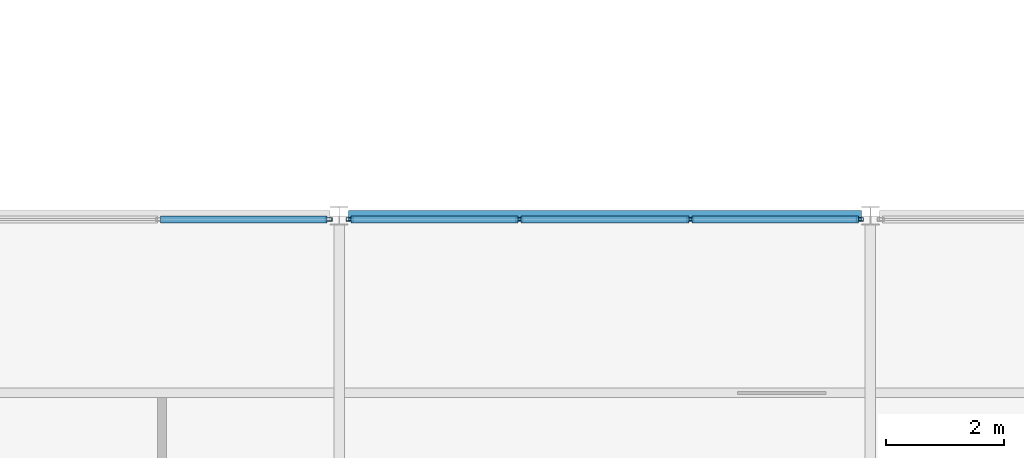
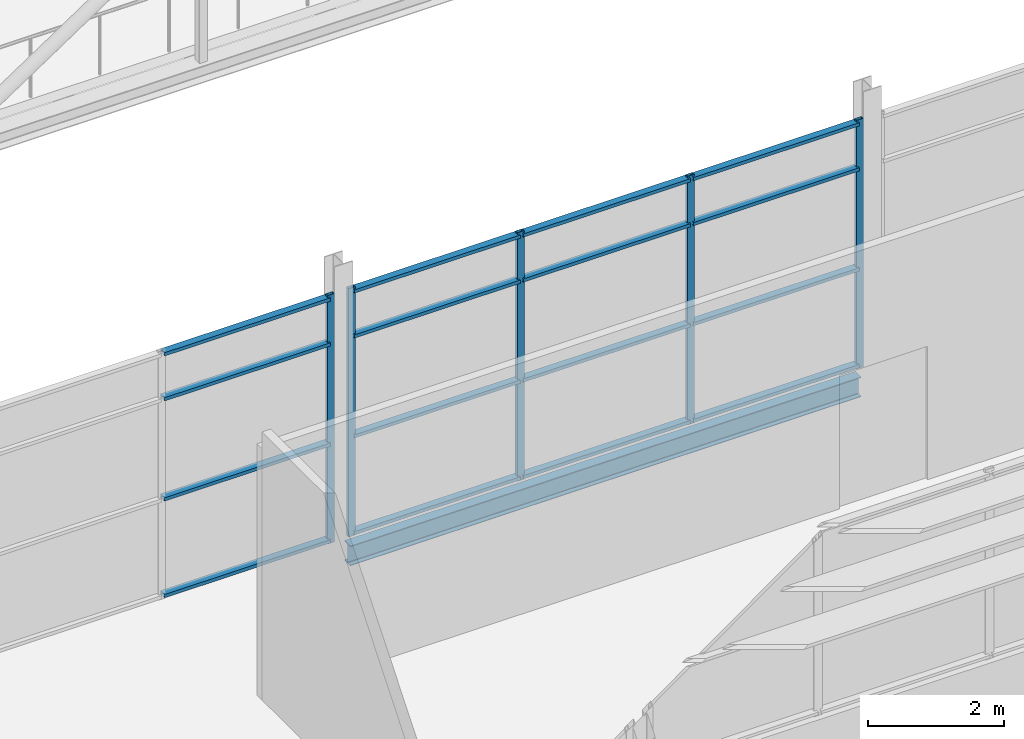
# One storey, part 17 of 94: 21 members, 1 beam, 2 elements without a shape of their own.
"""IFC4 building model written with IfcOpenShell, lengths in metres."""

from ifc_helpers import new_model, si_unit, direction, frame, origin, origin_2d, place, context, subcontext, project, spatial, hollow_rectangle, i_section, extrude, material, layer, layer_set, material_profile, profile_set, type_object, element, aggregate, save


model = new_model("IFC4")

# Units and contexts
model_context = context("Model", 3, precision=1e-05, world=origin(), true_north=direction((0.0, 1.0)))
body_context = subcontext(model_context, "Body", "Model", "MODEL_VIEW")
ifc_project = project(units=[si_unit("LENGTHUNIT", "METRE"), si_unit("AREAUNIT", "SQUARE_METRE"), si_unit("VOLUMEUNIT", "CUBIC_METRE"), si_unit("PLANEANGLEUNIT", "RADIAN"), si_unit("MASSUNIT", "GRAM", prefix="KILO")], contexts=[model_context])

# Site, building, storey
site_placement = place(None, origin())
site = spatial("IfcSite", under=ifc_project, at=site_placement, CompositionType="ELEMENT")
building_placement = place(site_placement, origin())
building = spatial("IfcBuilding", under=site, at=building_placement, Name="Shorebreak Coast Museum", CompositionType="ELEMENT")
storey_placement = place(building_placement, frame((0.0, 0.0, 31.0)))
storey = spatial("IfcBuildingStorey", under=building, at=storey_placement, Name="L05", CompositionType="ELEMENT", Elevation=31.0)

# Beam
ifc_material_1 = material(Name="Steel Grade 300", Category="steel")
ifc_material_profile_1 = material_profile(ifc_material_1, i_section(OverallWidth=0.1708984375, OverallDepth=0.355712890625, WebThickness=0.00732421875, FlangeThickness=0.011474609375, FilletRadius=0.011474609375, at=origin_2d()), Name="360UB50.7")
ifc_profile_set_1 = profile_set([ifc_material_profile_1], Name="Steel Grade 300")
beam_type = type_object("IfcBeamType", Name="Floor girder east-west 360UB50.7", PredefinedType="BEAM", material=ifc_profile_set_1)
beam_placement = place(storey_placement, frame((72.153564453125, 63.0, -0.352783203125), z_axis=(1.0, 0.0, 0.0), x_axis=(0.0, 1.0, 0.0)))
element("IfcBeam", 1, at=beam_placement, inside=storey, type_object=beam_type, Name="Floor girder east-west L05 9H", PredefinedType="BEAM", context=body_context, shape_type="SweptSolid", body=[
    extrude(i_section(OverallWidth=0.1708984375, OverallDepth=0.355712890625, WebThickness=0.00732421875, FlangeThickness=0.011474609375, FilletRadius=0.011474609375, at=origin_2d()), origin(), (0.0, 0.0, 1.0), 8.69287109375),
])

# Curtain wall, member
ifc_material_2 = material(Name="Aluminium", Category="aluminium")
ifc_layer = layer(ifc_material_2, 0.1201171875)
ifc_layer_set = layer_set([ifc_layer], Name="Aluminium")
curtain_wall_type = type_object("IfcCurtainWallType", Name="Atrium fire screen", PredefinedType="NOTDEFINED", material=ifc_layer_set)
curtain_wall_1_placement = place(storey_placement, origin())
curtain_wall_1 = element("IfcCurtainWall", 2, at=curtain_wall_1_placement, inside=storey, type_object=curtain_wall_type, Name="Atrium screen L05 S 63", PredefinedType="NOTDEFINED")
ifc_material_3 = material(Name="Aluminium", Category="aluminium")
ifc_material_profile_2 = material_profile(ifc_material_3, hollow_rectangle(XDim=0.06005859375, YDim=0.1201171875, WallThickness=0.00341796875, at=origin_2d()), Name="AL 120x60 RHS")
ifc_profile_set_2 = profile_set([ifc_material_profile_2], Name="Aluminium")
member_type_1 = type_object("IfcMemberType", Name="Screen mullion 50 x 120", PredefinedType="MULLION", material=ifc_profile_set_2)
member_1_placement = place(storey_placement, frame((71.821533203125, 62.93994140625, 0.0), z_axis=(0.0, 0.0, 1.0), x_axis=(0.0, 1.0, 0.0)))
member_1 = element("IfcMember", 3, at=member_1_placement, type_object=member_type_1, Name="CW4 mullion 4", PredefinedType="MULLION", context=body_context, shape_type="SweptSolid", body=[
    extrude(hollow_rectangle(XDim=0.06005859375, YDim=0.1201171875, WallThickness=0.00341796875, at=origin_2d()), origin(), (0.0, 0.0, 1.0), 4.469482421875),
])

# Curtain wall, members
curtain_wall_2_placement = place(storey_placement, origin())
curtain_wall_2 = element("IfcCurtainWall", 4, at=curtain_wall_2_placement, inside=storey, type_object=curtain_wall_type, Name="Atrium screen L05 S 64", PredefinedType="NOTDEFINED")
member_2_placement = place(storey_placement, frame((72.178466796875, 62.93994140625, 0.0), z_axis=(0.0, 0.0, 1.0), x_axis=(0.0, 1.0, 0.0)))
member_2 = element("IfcMember", 5, at=member_2_placement, type_object=member_type_1, Name="CW5 mullion 1", PredefinedType="MULLION", context=body_context, shape_type="SweptSolid", body=[
    extrude(hollow_rectangle(XDim=0.06005859375, YDim=0.1201171875, WallThickness=0.00341796875, at=origin_2d()), origin(), (0.0, 0.0, 1.0), 4.469482421875),
])
member_3_placement = place(storey_placement, frame((75.05126953125, 62.93994140625, 0.0), z_axis=(0.0, 0.0, 1.0), x_axis=(0.0, 1.0, 0.0)))
member_3 = element("IfcMember", 6, at=member_3_placement, type_object=member_type_1, Name="CW5 mullion 2", PredefinedType="MULLION", context=body_context, shape_type="SweptSolid", body=[
    extrude(hollow_rectangle(XDim=0.06005859375, YDim=0.1201171875, WallThickness=0.00341796875, at=origin_2d()), origin(), (0.0, 0.0, 1.0), 4.469482421875),
])
member_4_placement = place(storey_placement, frame((77.94873046875, 62.93994140625, 0.0), z_axis=(0.0, 0.0, 1.0), x_axis=(0.0, 1.0, 0.0)))
member_4 = element("IfcMember", 7, at=member_4_placement, type_object=member_type_1, Name="CW5 mullion 3", PredefinedType="MULLION", context=body_context, shape_type="SweptSolid", body=[
    extrude(hollow_rectangle(XDim=0.06005859375, YDim=0.1201171875, WallThickness=0.00341796875, at=origin_2d()), origin(), (0.0, 0.0, 1.0), 4.469482421875),
])
member_5_placement = place(storey_placement, frame((80.821533203125, 62.93994140625, 0.0), z_axis=(0.0, 0.0, 1.0), x_axis=(0.0, 1.0, 0.0)))
member_5 = element("IfcMember", 8, at=member_5_placement, type_object=member_type_1, Name="CW5 mullion 4", PredefinedType="MULLION", context=body_context, shape_type="SweptSolid", body=[
    extrude(hollow_rectangle(XDim=0.06005859375, YDim=0.1201171875, WallThickness=0.00341796875, at=origin_2d()), origin(), (0.0, 0.0, 1.0), 4.469482421875),
])

# Member
ifc_material_4 = material(Name="Aluminium", Category="aluminium")
ifc_material_profile_3 = material_profile(ifc_material_4, hollow_rectangle(XDim=0.1201171875, YDim=0.06005859375, WallThickness=0.00341796875, at=origin_2d()), Name="AL 60x120 RHS")
ifc_profile_set_3 = profile_set([ifc_material_profile_3], Name="Aluminium")
member_type_2 = type_object("IfcMemberType", Name="Screen transom 120 x 50", PredefinedType="USERDEFINED", material=ifc_profile_set_3)
member_6_placement = place(storey_placement, frame((68.973876953125, 62.93994140625, 0.06005859375), z_axis=(1.0, 0.0, 0.0), x_axis=(0.0, 1.0, 0.0)))
member_6 = element("IfcMember", 9, at=member_6_placement, type_object=member_type_2, Name="CW4 transom 3.1", ObjectType="TRANSOM", PredefinedType="USERDEFINED", context=body_context, shape_type="SweptSolid", body=[
    extrude(hollow_rectangle(XDim=0.1201171875, YDim=0.06005859375, WallThickness=0.00341796875, at=origin_2d()), origin(), (0.0, 0.0, 1.0), 2.822509765625),
])

member_7_placement = place(storey_placement, frame((68.973876953125, 62.93994140625, 1.800048828125), z_axis=(1.0, 0.0, 0.0), x_axis=(0.0, 1.0, 0.0)))
member_7 = element("IfcMember", 10, at=member_7_placement, type_object=member_type_2, Name="CW4 transom 3.2", ObjectType="TRANSOM", PredefinedType="USERDEFINED", context=body_context, shape_type="SweptSolid", body=[
    extrude(hollow_rectangle(XDim=0.1201171875, YDim=0.06005859375, WallThickness=0.00341796875, at=origin_2d()), origin(), (0.0, 0.0, 1.0), 2.822509765625),
])

member_8_placement = place(storey_placement, frame((68.973876953125, 62.93994140625, 3.60009765625), z_axis=(1.0, 0.0, 0.0), x_axis=(0.0, 1.0, 0.0)))
member_8 = element("IfcMember", 11, at=member_8_placement, type_object=member_type_2, Name="CW4 transom 3.3", ObjectType="TRANSOM", PredefinedType="USERDEFINED", context=body_context, shape_type="SweptSolid", body=[
    extrude(hollow_rectangle(XDim=0.1201171875, YDim=0.06005859375, WallThickness=0.00341796875, at=origin_2d()), origin(), (0.0, 0.0, 1.0), 2.822509765625),
])

member_9_placement = place(storey_placement, frame((68.973876953125, 62.93994140625, 4.409423828125), z_axis=(1.0, 0.0, 0.0), x_axis=(0.0, 1.0, 0.0)))
member_9 = element("IfcMember", 12, at=member_9_placement, type_object=member_type_2, Name="CW4 transom 3.4", ObjectType="TRANSOM", PredefinedType="USERDEFINED", context=body_context, shape_type="SweptSolid", body=[
    extrude(hollow_rectangle(XDim=0.1201171875, YDim=0.06005859375, WallThickness=0.00341796875, at=origin_2d()), origin(), (0.0, 0.0, 1.0), 2.822509765625),
])

aggregate(curtain_wall_1, [member_1, member_6, member_7, member_8, member_9])

member_10_placement = place(storey_placement, frame((72.20361328125, 62.93994140625, 0.06005859375), z_axis=(1.0, 0.0, 0.0), x_axis=(0.0, 1.0, 0.0)))
member_10 = element("IfcMember", 13, at=member_10_placement, type_object=member_type_2, Name="CW5 transom 1.1", ObjectType="TRANSOM", PredefinedType="USERDEFINED", context=body_context, shape_type="SweptSolid", body=[
    extrude(hollow_rectangle(XDim=0.1201171875, YDim=0.06005859375, WallThickness=0.00341796875, at=origin_2d()), origin(), (0.0, 0.0, 1.0), 2.822509765625),
])

member_11_placement = place(storey_placement, frame((72.20361328125, 62.93994140625, 1.800048828125), z_axis=(1.0, 0.0, 0.0), x_axis=(0.0, 1.0, 0.0)))
member_11 = element("IfcMember", 14, at=member_11_placement, type_object=member_type_2, Name="CW5 transom 1.2", ObjectType="TRANSOM", PredefinedType="USERDEFINED", context=body_context, shape_type="SweptSolid", body=[
    extrude(hollow_rectangle(XDim=0.1201171875, YDim=0.06005859375, WallThickness=0.00341796875, at=origin_2d()), origin(), (0.0, 0.0, 1.0), 2.822509765625),
])

member_12_placement = place(storey_placement, frame((72.20361328125, 62.93994140625, 3.60009765625), z_axis=(1.0, 0.0, 0.0), x_axis=(0.0, 1.0, 0.0)))
member_12 = element("IfcMember", 15, at=member_12_placement, type_object=member_type_2, Name="CW5 transom 1.3", ObjectType="TRANSOM", PredefinedType="USERDEFINED", context=body_context, shape_type="SweptSolid", body=[
    extrude(hollow_rectangle(XDim=0.1201171875, YDim=0.06005859375, WallThickness=0.00341796875, at=origin_2d()), origin(), (0.0, 0.0, 1.0), 2.822509765625),
])

member_13_placement = place(storey_placement, frame((72.20361328125, 62.93994140625, 4.409423828125), z_axis=(1.0, 0.0, 0.0), x_axis=(0.0, 1.0, 0.0)))
member_13 = element("IfcMember", 16, at=member_13_placement, type_object=member_type_2, Name="CW5 transom 1.4", ObjectType="TRANSOM", PredefinedType="USERDEFINED", context=body_context, shape_type="SweptSolid", body=[
    extrude(hollow_rectangle(XDim=0.1201171875, YDim=0.06005859375, WallThickness=0.00341796875, at=origin_2d()), origin(), (0.0, 0.0, 1.0), 2.822509765625),
])

member_14_placement = place(storey_placement, frame((75.076171875, 62.93994140625, 0.06005859375), z_axis=(1.0, 0.0, 0.0), x_axis=(0.0, 1.0, 0.0)))
member_14 = element("IfcMember", 17, at=member_14_placement, type_object=member_type_2, Name="CW5 transom 2.1", ObjectType="TRANSOM", PredefinedType="USERDEFINED", context=body_context, shape_type="SweptSolid", body=[
    extrude(hollow_rectangle(XDim=0.1201171875, YDim=0.06005859375, WallThickness=0.00341796875, at=origin_2d()), origin(), (0.0, 0.0, 1.0), 2.84765625),
])

member_15_placement = place(storey_placement, frame((75.076171875, 62.93994140625, 1.800048828125), z_axis=(1.0, 0.0, 0.0), x_axis=(0.0, 1.0, 0.0)))
member_15 = element("IfcMember", 18, at=member_15_placement, type_object=member_type_2, Name="CW5 transom 2.2", ObjectType="TRANSOM", PredefinedType="USERDEFINED", context=body_context, shape_type="SweptSolid", body=[
    extrude(hollow_rectangle(XDim=0.1201171875, YDim=0.06005859375, WallThickness=0.00341796875, at=origin_2d()), origin(), (0.0, 0.0, 1.0), 2.84765625),
])

member_16_placement = place(storey_placement, frame((75.076171875, 62.93994140625, 3.60009765625), z_axis=(1.0, 0.0, 0.0), x_axis=(0.0, 1.0, 0.0)))
member_16 = element("IfcMember", 19, at=member_16_placement, type_object=member_type_2, Name="CW5 transom 2.3", ObjectType="TRANSOM", PredefinedType="USERDEFINED", context=body_context, shape_type="SweptSolid", body=[
    extrude(hollow_rectangle(XDim=0.1201171875, YDim=0.06005859375, WallThickness=0.00341796875, at=origin_2d()), origin(), (0.0, 0.0, 1.0), 2.84765625),
])

member_17_placement = place(storey_placement, frame((75.076171875, 62.93994140625, 4.409423828125), z_axis=(1.0, 0.0, 0.0), x_axis=(0.0, 1.0, 0.0)))
member_17 = element("IfcMember", 20, at=member_17_placement, type_object=member_type_2, Name="CW5 transom 2.4", ObjectType="TRANSOM", PredefinedType="USERDEFINED", context=body_context, shape_type="SweptSolid", body=[
    extrude(hollow_rectangle(XDim=0.1201171875, YDim=0.06005859375, WallThickness=0.00341796875, at=origin_2d()), origin(), (0.0, 0.0, 1.0), 2.84765625),
])

member_18_placement = place(storey_placement, frame((77.973876953125, 62.93994140625, 0.06005859375), z_axis=(1.0, 0.0, 0.0), x_axis=(0.0, 1.0, 0.0)))
member_18 = element("IfcMember", 21, at=member_18_placement, type_object=member_type_2, Name="CW5 transom 3.1", ObjectType="TRANSOM", PredefinedType="USERDEFINED", context=body_context, shape_type="SweptSolid", body=[
    extrude(hollow_rectangle(XDim=0.1201171875, YDim=0.06005859375, WallThickness=0.00341796875, at=origin_2d()), origin(), (0.0, 0.0, 1.0), 2.822509765625),
])

member_19_placement = place(storey_placement, frame((77.973876953125, 62.93994140625, 1.800048828125), z_axis=(1.0, 0.0, 0.0), x_axis=(0.0, 1.0, 0.0)))
member_19 = element("IfcMember", 22, at=member_19_placement, type_object=member_type_2, Name="CW5 transom 3.2", ObjectType="TRANSOM", PredefinedType="USERDEFINED", context=body_context, shape_type="SweptSolid", body=[
    extrude(hollow_rectangle(XDim=0.1201171875, YDim=0.06005859375, WallThickness=0.00341796875, at=origin_2d()), origin(), (0.0, 0.0, 1.0), 2.822509765625),
])

member_20_placement = place(storey_placement, frame((77.973876953125, 62.93994140625, 3.60009765625), z_axis=(1.0, 0.0, 0.0), x_axis=(0.0, 1.0, 0.0)))
member_20 = element("IfcMember", 23, at=member_20_placement, type_object=member_type_2, Name="CW5 transom 3.3", ObjectType="TRANSOM", PredefinedType="USERDEFINED", context=body_context, shape_type="SweptSolid", body=[
    extrude(hollow_rectangle(XDim=0.1201171875, YDim=0.06005859375, WallThickness=0.00341796875, at=origin_2d()), origin(), (0.0, 0.0, 1.0), 2.822509765625),
])

member_21_placement = place(storey_placement, frame((77.973876953125, 62.93994140625, 4.409423828125), z_axis=(1.0, 0.0, 0.0), x_axis=(0.0, 1.0, 0.0)))
member_21 = element("IfcMember", 24, at=member_21_placement, type_object=member_type_2, Name="CW5 transom 3.4", ObjectType="TRANSOM", PredefinedType="USERDEFINED", context=body_context, shape_type="SweptSolid", body=[
    extrude(hollow_rectangle(XDim=0.1201171875, YDim=0.06005859375, WallThickness=0.00341796875, at=origin_2d()), origin(), (0.0, 0.0, 1.0), 2.822509765625),
])

aggregate(curtain_wall_2, [member_2, member_3, member_4, member_5, member_10, member_11, member_12, member_13, member_14, member_15, member_16, member_17, member_18, member_19, member_20, member_21])

save(model, "model.ifc")
